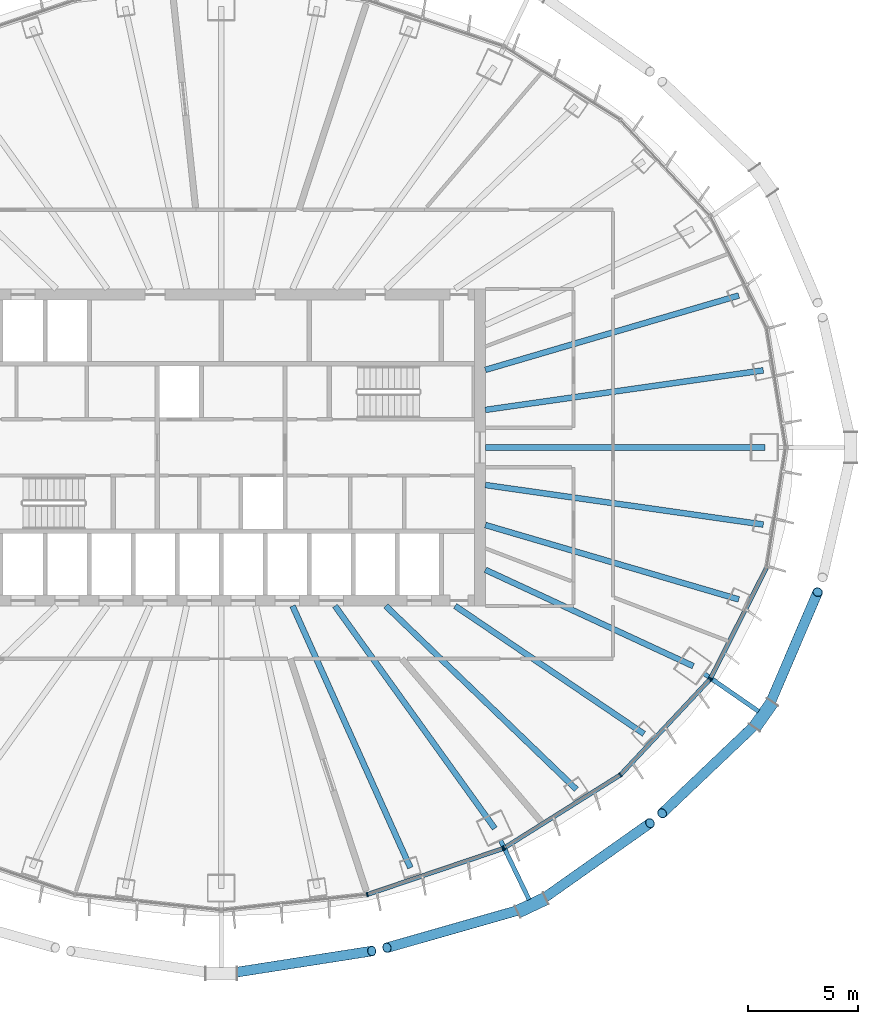
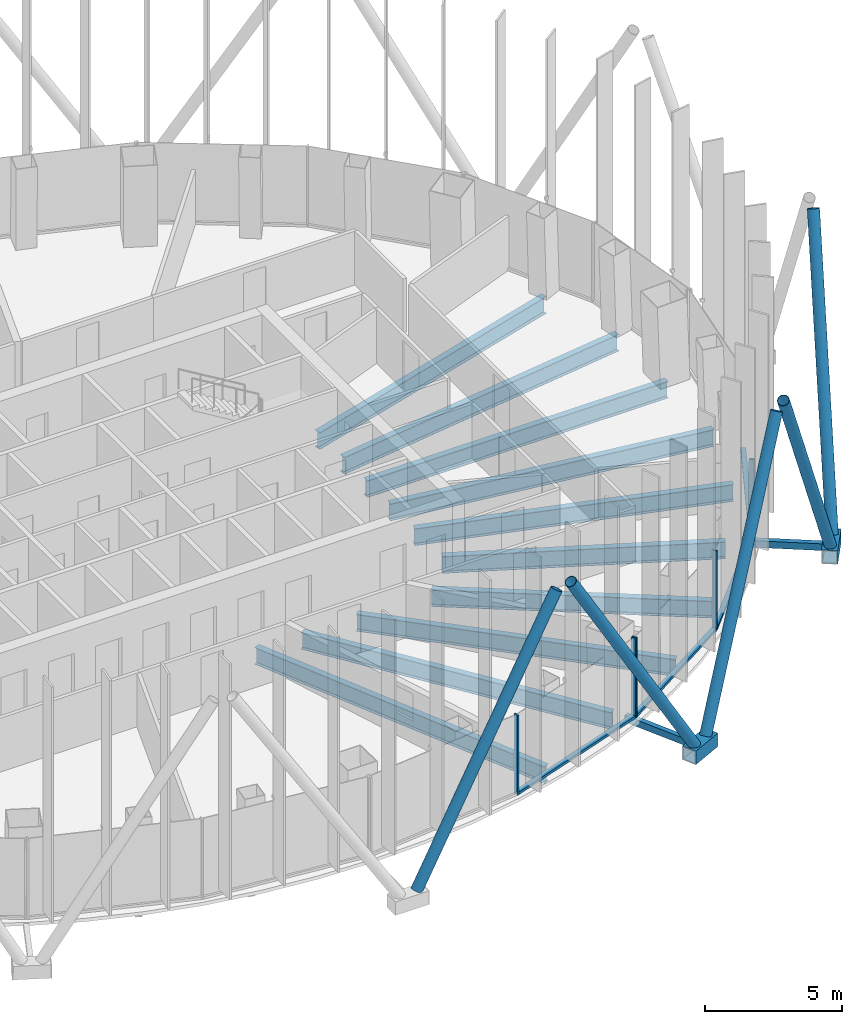
# One storey, part 4 of 20: 19 members, 10 beams, 3 elements without a shape of their own.
"""IFC4 building model written with IfcOpenShell, lengths in metres."""

from ifc_helpers import new_model, si_unit, direction, frame, origin, origin_2d, place, context, subcontext, project, spatial, rectangle, hollow_rectangle, hollow_circle, i_section, extrude, material, layer, layer_set, material_profile, profile_set, type_object, element, aggregate, save


model = new_model("IFC4")

# Units and contexts
model_context = context("Model", 3, precision=1e-05, world=origin(), true_north=direction((0.0, 1.0)))
body_context = subcontext(model_context, "Body", "Model", "MODEL_VIEW")
ifc_project = project(units=[si_unit("LENGTHUNIT", "METRE"), si_unit("AREAUNIT", "SQUARE_METRE"), si_unit("VOLUMEUNIT", "CUBIC_METRE"), si_unit("PLANEANGLEUNIT", "RADIAN"), si_unit("MASSUNIT", "GRAM", prefix="KILO")], contexts=[model_context])

# Site, building, storey
site_placement = place(None, origin())
site = spatial("IfcSite", under=ifc_project, at=site_placement, CompositionType="ELEMENT")
building_placement = place(site_placement, origin())
building = spatial("IfcBuilding", under=site, at=building_placement, Name="Siaravel Broadcast Tower", CompositionType="ELEMENT")
storey_placement = place(building_placement, frame((0.0, 0.0, 108.199951171875)))
storey = spatial("IfcBuildingStorey", under=building, at=storey_placement, Name="L25", CompositionType="ELEMENT", Elevation=108.199951171875)

# Beams
ifc_material_1 = material(Name="Steel S355", Category="steel")
ifc_material_profile_1 = material_profile(ifc_material_1, i_section(OverallWidth=0.26513671875, OverallDepth=0.75390625, WebThickness=0.0126953125, FlangeThickness=0.017578125, FilletRadius=0.0166015625, at=origin_2d()))
ifc_profile_set_1 = profile_set([ifc_material_profile_1], Name="Steel S355")
beam_type = type_object("IfcBeamType", Name="BM-UB 762x267x147", PredefinedType="BEAM", material=ifc_profile_set_1)
beam_1_placement = place(storey_placement, frame((24.697509765625, 0.0, -0.52685546875), z_axis=(-1.0, 0.0, 0.0), x_axis=(0.0, -1.0, 0.0)))
element("IfcBeam", 1, at=beam_1_placement, inside=storey, type_object=beam_type, Name="Radial beam RB01", PredefinedType="BEAM", context=body_context, shape_type="SweptSolid", body=[
    extrude(i_section(OverallWidth=0.26513671875, OverallDepth=0.75390625, WebThickness=0.0126953125, FlangeThickness=0.017578125, FilletRadius=0.0166015625, at=origin_2d()), origin(), (0.0, 0.0, 1.0), 12.697509765625),
])
beam_2_placement = place(storey_placement, frame((24.623291015625, 3.5009765625, -0.52685546875), z_axis=(-0.990044244, -0.140756508, 0.0), x_axis=(0.140756508, -0.990044244, 0.0)))
element("IfcBeam", 2, at=beam_2_placement, inside=storey, type_object=beam_type, Name="Radial beam RB02", PredefinedType="BEAM", context=body_context, shape_type="SweptSolid", body=[
    extrude(i_section(OverallWidth=0.26513671875, OverallDepth=0.75390625, WebThickness=0.0126953125, FlangeThickness=0.017578125, FilletRadius=0.0166015625, at=origin_2d()), origin(), (0.0, 0.0, 1.0), 12.750244140625),
])
beam_3_placement = place(storey_placement, frame((23.510498046875, 6.90234375, -0.52685546875), z_axis=(-0.959507321, -0.281683688, 0.0), x_axis=(0.281683688, -0.959507321, 0.0)))
element("IfcBeam", 3, at=beam_3_placement, inside=storey, type_object=beam_type, Name="Radial beam RB03", PredefinedType="BEAM", context=body_context, shape_type="SweptSolid", body=[
    extrude(i_section(OverallWidth=0.26513671875, OverallDepth=0.75390625, WebThickness=0.0126953125, FlangeThickness=0.017578125, FilletRadius=0.0166015625, at=origin_2d()), origin(), (0.0, 0.0, 1.0), 11.996337890625),
])
beam_4_placement = place(storey_placement, frame((8.5947265625, -19.090087890625, -0.52685546875), z_axis=(-0.410521929, 0.911850725, 0.0), x_axis=(-0.911850725, -0.410521929, 0.0)))
element("IfcBeam", 4, at=beam_4_placement, inside=storey, type_object=beam_type, Name="Radial beam RB30", PredefinedType="BEAM", context=body_context, shape_type="SweptSolid", body=[
    extrude(i_section(OverallWidth=0.26513671875, OverallDepth=0.75390625, WebThickness=0.0126953125, FlangeThickness=0.017578125, FilletRadius=0.0166015625, at=origin_2d()), origin(), (0.0, 0.0, 1.0), 13.03955078125),
])
beam_5_placement = place(storey_placement, frame((12.428466796875, -17.305419921875, -0.52685546875), z_axis=(-0.583331946, 0.812233858, 0.0), x_axis=(-0.812233858, -0.583331946, 0.0)))
element("IfcBeam", 5, at=beam_5_placement, inside=storey, type_object=beam_type, Name="Radial beam RB31", PredefinedType="BEAM", context=body_context, shape_type="SweptSolid", body=[
    extrude(i_section(OverallWidth=0.26513671875, OverallDepth=0.75390625, WebThickness=0.0126953125, FlangeThickness=0.017578125, FilletRadius=0.0166015625, at=origin_2d()), origin(), (0.0, 0.0, 1.0), 12.441650390625),
])
beam_6_placement = place(storey_placement, frame((16.129150390625, -15.528076171875, -0.52685546875), z_axis=(-0.720398468, 0.693560413, 0.0), x_axis=(-0.693560413, -0.720398468, 0.0)))
element("IfcBeam", 6, at=beam_6_placement, inside=storey, type_object=beam_type, Name="Radial beam RB32", PredefinedType="BEAM", context=body_context, shape_type="SweptSolid", body=[
    extrude(i_section(OverallWidth=0.26513671875, OverallDepth=0.75390625, WebThickness=0.0126953125, FlangeThickness=0.017578125, FilletRadius=0.0166015625, at=origin_2d()), origin(), (0.0, 0.0, 1.0), 12.0078125),
])
beam_7_placement = place(storey_placement, frame((19.203125, -13.01025390625, -0.52685546875), z_axis=(-0.827882681, 0.560901299, 0.0), x_axis=(-0.560901299, -0.827882681, 0.0)))
element("IfcBeam", 7, at=beam_7_placement, inside=storey, type_object=beam_type, Name="Radial beam RB33", PredefinedType="BEAM", context=body_context, shape_type="SweptSolid", body=[
    extrude(i_section(OverallWidth=0.26513671875, OverallDepth=0.75390625, WebThickness=0.0126953125, FlangeThickness=0.017578125, FilletRadius=0.0166015625, at=origin_2d()), origin(), (0.0, 0.0, 1.0), 10.35888671875),
])
beam_8_placement = place(storey_placement, frame((21.442138671875, -9.931884765625, -0.52685546875), z_axis=(-0.907387216, 0.420295658, 0.0), x_axis=(-0.420295658, -0.907387216, 0.0)))
element("IfcBeam", 8, at=beam_8_placement, inside=storey, type_object=beam_type, Name="Radial beam RB34", PredefinedType="BEAM", context=body_context, shape_type="SweptSolid", body=[
    extrude(i_section(OverallWidth=0.26513671875, OverallDepth=0.75390625, WebThickness=0.0126953125, FlangeThickness=0.017578125, FilletRadius=0.0166015625, at=origin_2d()), origin(), (0.0, 0.0, 1.0), 10.40576171875),
])
beam_9_placement = place(storey_placement, frame((23.510498046875, -6.90234375, -0.52685546875), z_axis=(-0.959507321, 0.281683688, 0.0), x_axis=(-0.281683688, -0.959507321, 0.0)))
element("IfcBeam", 9, at=beam_9_placement, inside=storey, type_object=beam_type, Name="Radial beam RB35", PredefinedType="BEAM", context=body_context, shape_type="SweptSolid", body=[
    extrude(i_section(OverallWidth=0.26513671875, OverallDepth=0.75390625, WebThickness=0.0126953125, FlangeThickness=0.017578125, FilletRadius=0.0166015625, at=origin_2d()), origin(), (0.0, 0.0, 1.0), 11.996337890625),
])
beam_10_placement = place(storey_placement, frame((24.623291015625, -3.5009765625, -0.52685546875), z_axis=(-0.990044244, 0.140756508, 0.0), x_axis=(-0.140756508, -0.990044244, 0.0)))
element("IfcBeam", 10, at=beam_10_placement, inside=storey, type_object=beam_type, Name="Radial beam RB36", PredefinedType="BEAM", context=body_context, shape_type="SweptSolid", body=[
    extrude(i_section(OverallWidth=0.26513671875, OverallDepth=0.75390625, WebThickness=0.0126953125, FlangeThickness=0.017578125, FilletRadius=0.0166015625, at=origin_2d()), origin(), (0.0, 0.0, 1.0), 12.750244140625),
])

# Curtain wall, members
ifc_material_2 = material(Name="Aluminium 6063-T6", Category="aluminium")
ifc_layer = layer(ifc_material_2, 0.199951171875)
ifc_layer_set = layer_set([ifc_layer], Name="Aluminium 6063-T6")
curtain_wall_type = type_object("IfcCurtainWallType", Name="Unitised curtain wall, zone 2", PredefinedType="NOTDEFINED", material=ifc_layer_set)
curtain_wall_1_placement = place(storey_placement, origin())
curtain_wall_1 = element("IfcCurtainWall", 11, at=curtain_wall_1_placement, inside=storey, type_object=curtain_wall_type, Name="L25 Unitised curtain wall, zone 2 10", PredefinedType="NOTDEFINED")
ifc_material_profile_2 = material_profile(ifc_material_2, rectangle(XDim=0.199951171875, YDim=0.06494140625, at=origin_2d()))
ifc_profile_set_2 = profile_set([ifc_material_profile_2], Name="Aluminium 6063-T6")
member_type_1 = type_object("IfcMemberType", Name="CW-Z2 mullion", PredefinedType="MULLION", material=ifc_profile_set_2)
member_1_placement = place(storey_placement, frame((6.637939453125, -20.307861328125, 0.0), z_axis=(0.0, 0.0, 1.0), x_axis=(-0.215557996, 0.97649104, 0.0)))
member_1 = element("IfcMember", 12, at=member_1_placement, type_object=member_type_1, Name="CW-Z2 mullion 2", PredefinedType="MULLION", context=body_context, shape_type="SweptSolid", body=[
    extrude(rectangle(XDim=0.199951171875, YDim=0.06494140625, at=origin_2d()), origin(), (0.0, 0.0, 1.0), 3.550048828125),
])
member_2_placement = place(storey_placement, frame((12.793212890625, -18.21923828125, 0.0), z_axis=(0.0, 0.0, 1.0), x_axis=(-0.321300513, 0.946977286, 0.0)))
member_2 = element("IfcMember", 13, at=member_2_placement, type_object=member_type_1, Name="CW-Z2 mullion 3", PredefinedType="MULLION", context=body_context, shape_type="SweptSolid", body=[
    extrude(rectangle(XDim=0.199951171875, YDim=0.06494140625, at=origin_2d()), origin(), (0.0, 0.0, 1.0), 3.550048828125),
])

curtain_wall_2_placement = place(storey_placement, origin())
curtain_wall_2 = element("IfcCurtainWall", 14, at=curtain_wall_2_placement, inside=storey, type_object=curtain_wall_type, Name="L25 Unitised curtain wall, zone 2 11", PredefinedType="NOTDEFINED")
member_3_placement = place(storey_placement, frame((12.8515625, -18.191650390625, 0.0), z_axis=(0.0, 0.0, 1.0), x_axis=(-0.532149019, 0.846650708, 0.0)))
member_3 = element("IfcMember", 15, at=member_3_placement, type_object=member_type_1, Name="CW-Z2 mullion 1", PredefinedType="MULLION", context=body_context, shape_type="SweptSolid", body=[
    extrude(rectangle(XDim=0.199951171875, YDim=0.06494140625, at=origin_2d()), origin(), (0.0, 0.0, 1.0), 3.550048828125),
])
member_4_placement = place(storey_placement, frame((18.137451171875, -14.869384765625, 0.0), z_axis=(0.0, 0.0, 1.0), x_axis=(-0.63621839, 0.771509015, 0.0)))
member_4 = element("IfcMember", 16, at=member_4_placement, type_object=member_type_1, Name="CW-Z2 mullion 2", PredefinedType="MULLION", context=body_context, shape_type="SweptSolid", body=[
    extrude(rectangle(XDim=0.199951171875, YDim=0.06494140625, at=origin_2d()), origin(), (0.0, 0.0, 1.0), 3.550048828125),
])
member_5_placement = place(storey_placement, frame((22.193603515625, -10.539306640625, 0.0), z_axis=(0.0, 0.0, 1.0), x_axis=(-0.729804977, 0.683655392, 0.0)))
member_5 = element("IfcMember", 17, at=member_5_placement, type_object=member_type_1, Name="CW-Z2 mullion 3", PredefinedType="MULLION", context=body_context, shape_type="SweptSolid", body=[
    extrude(rectangle(XDim=0.199951171875, YDim=0.06494140625, at=origin_2d()), origin(), (0.0, 0.0, 1.0), 3.550048828125),
])

# Curtain wall, member
curtain_wall_3_placement = place(storey_placement, origin())
curtain_wall_3 = element("IfcCurtainWall", 18, at=curtain_wall_3_placement, inside=storey, type_object=curtain_wall_type, Name="L25 Unitised curtain wall, zone 2 12", PredefinedType="NOTDEFINED")
member_6_placement = place(storey_placement, frame((22.23046875, -10.486572265625, 0.0), z_axis=(0.0, 0.0, 1.0), x_axis=(-0.892391899, 0.451261231, 0.0)))
member_6 = element("IfcMember", 19, at=member_6_placement, type_object=member_type_1, Name="CW-Z2 mullion 1", PredefinedType="MULLION", context=body_context, shape_type="SweptSolid", body=[
    extrude(rectangle(XDim=0.199951171875, YDim=0.06494140625, at=origin_2d()), origin(), (0.0, 0.0, 1.0), 3.550048828125),
])

# Member
ifc_material_profile_3 = material_profile(ifc_material_2, rectangle(XDim=0.199951171875, YDim=0.110107421875, at=origin_2d()))
ifc_profile_set_3 = profile_set([ifc_material_profile_3], Name="Aluminium 6063-T6")
member_type_2 = type_object("IfcMemberType", Name="CW-Z2 transom", PredefinedType="USERDEFINED", material=ifc_profile_set_3)
member_7_placement = place(storey_placement, frame((6.668701171875, -20.29736328125, 0.054931640625), z_axis=(0.946973753, 0.321310926, 0.0), x_axis=(-0.321310926, 0.946973753, 0.0)))
member_7 = element("IfcMember", 20, at=member_7_placement, type_object=member_type_2, Name="CW-Z2 transom 2", ObjectType="TRANSOM", PredefinedType="USERDEFINED", context=body_context, shape_type="SweptSolid", body=[
    extrude(rectangle(XDim=0.199951171875, YDim=0.110107421875, at=origin_2d()), origin(), (0.0, 0.0, 1.0), 6.43505859375),
])

aggregate(curtain_wall_1, [member_1, member_2, member_7])

member_8_placement = place(storey_placement, frame((12.879150390625, -18.17431640625, 0.054931640625), z_axis=(0.846639093, 0.532167499, 0.0), x_axis=(-0.532167499, 0.846639093, 0.0)))
member_8 = element("IfcMember", 21, at=member_8_placement, type_object=member_type_2, Name="CW-Z2 transom 1", ObjectType="TRANSOM", PredefinedType="USERDEFINED", context=body_context, shape_type="SweptSolid", body=[
    extrude(rectangle(XDim=0.199951171875, YDim=0.110107421875, at=origin_2d()), origin(), (0.0, 0.0, 1.0), 6.17822265625),
])

member_9_placement = place(storey_placement, frame((18.15966796875, -14.845458984375, 0.054931640625), z_axis=(0.683660134, 0.729800536, 0.0), x_axis=(-0.729800536, 0.683660134, 0.0)))
member_9 = element("IfcMember", 22, at=member_9_placement, type_object=member_type_2, Name="CW-Z2 transom 2", ObjectType="TRANSOM", PredefinedType="USERDEFINED", context=body_context, shape_type="SweptSolid", body=[
    extrude(rectangle(XDim=0.199951171875, YDim=0.110107421875, at=origin_2d()), origin(), (0.0, 0.0, 1.0), 5.867919921875),
])

aggregate(curtain_wall_2, [member_3, member_4, member_5, member_8, member_9])

member_10_placement = place(storey_placement, frame((22.2451171875, -10.45751953125, 0.054931640625), z_axis=(0.451247712, 0.892398735, 0.0), x_axis=(-0.892398735, 0.451247712, 0.0)))
member_10 = element("IfcMember", 23, at=member_10_placement, type_object=member_type_2, Name="CW-Z2 transom 1", ObjectType="TRANSOM", PredefinedType="USERDEFINED", context=body_context, shape_type="SweptSolid", body=[
    extrude(rectangle(XDim=0.199951171875, YDim=0.110107421875, at=origin_2d()), origin(), (0.0, 0.0, 1.0), 5.585693359375),
])

aggregate(curtain_wall_3, [member_6, member_10])

# Members
ifc_material_3 = material(Name="Steel S460", Category="steel")
ifc_material_profile_4 = material_profile(ifc_material_3, hollow_circle(Radius=0.228515625, WallThickness=0.02001953125, at=origin_2d()))
ifc_profile_set_4 = profile_set([ifc_material_profile_4], Name="Steel S460")
member_type_3 = type_object("IfcMemberType", Name="Diagrid diagonal CHS 457x20", PredefinedType="BRACE", material=ifc_profile_set_4)
member_11_placement = place(storey_placement, frame((0.351318359375, -23.88818359375, 0.070068359375), z_axis=(0.521854782, 0.081567416, 0.849125634), x_axis=(-0.1544279, 0.988004061, 0.0)))
element("IfcMember", 24, at=member_11_placement, inside=storey, type_object=member_type_3, Name="Diagrid diagonal R11 station 54A", PredefinedType="BRACE", context=body_context, shape_type="SweptSolid", body=[
    extrude(hollow_circle(Radius=0.228515625, WallThickness=0.02001953125, at=origin_2d()), origin(), (0.0, 0.0, 1.0), 12.436279296875),
])
member_12_placement = place(storey_placement, frame((13.788818359375, -20.936767578125, 0.070068359375), z_axis=(-0.504693487, -0.143992913, 0.851205337), x_axis=(0.274359589, -0.961627171, 0.0)))
element("IfcMember", 25, at=member_12_placement, inside=storey, type_object=member_type_3, Name="Diagrid diagonal R11 station 60C", PredefinedType="BRACE", context=body_context, shape_type="SweptSolid", body=[
    extrude(hollow_circle(Radius=0.228515625, WallThickness=0.02001953125, at=origin_2d()), origin(), (0.0, 0.0, 1.0), 12.406005859375),
])
member_13_placement = place(storey_placement, frame((14.423828125, -20.636474609375, 0.070068359375), z_axis=(0.413154291, 0.2917967, 0.862646056), x_axis=(-0.576892164, 0.816820318, 0.0)))
element("IfcMember", 26, at=member_13_placement, inside=storey, type_object=member_type_3, Name="Diagrid diagonal R11 station 60A", PredefinedType="BRACE", context=body_context, shape_type="SweptSolid", body=[
    extrude(hollow_circle(Radius=0.228515625, WallThickness=0.02001953125, at=origin_2d()), origin(), (0.0, 0.0, 1.0), 12.241455078125),
])
member_14_placement = place(storey_placement, frame((24.430419921875, -12.42919921875, 0.070068359375), z_axis=(-0.361544187, -0.3438727, 0.866624121), x_axis=(0.689176745, -0.724593275, 0.0)))
element("IfcMember", 27, at=member_14_placement, inside=storey, type_object=member_type_3, Name="Diagrid diagonal R11 station 66C", PredefinedType="BRACE", context=body_context, shape_type="SweptSolid", body=[
    extrude(hollow_circle(Radius=0.228515625, WallThickness=0.02001953125, at=origin_2d()), origin(), (0.0, 0.0, 1.0), 12.185302734375),
])
member_15_placement = place(storey_placement, frame((24.835205078125, -11.85498046875, 0.070068359375), z_axis=(0.187937879, 0.43953705, 0.878343062), x_axis=(-0.919474293, 0.393150131, 0.0)))
element("IfcMember", 28, at=member_15_placement, inside=storey, type_object=member_type_3, Name="Diagrid diagonal R11 station 66A", PredefinedType="BRACE", context=body_context, shape_type="SweptSolid", body=[
    extrude(hollow_circle(Radius=0.228515625, WallThickness=0.02001953125, at=origin_2d()), origin(), (0.0, 0.0, 1.0), 12.022705078125),
])
ifc_material_profile_5 = material_profile(ifc_material_3, hollow_rectangle(XDim=0.60009765625, YDim=0.60009765625, WallThickness=0.0400390625, at=origin_2d()))
ifc_profile_set_5 = profile_set([ifc_material_profile_5], Name="Steel S460")
member_type_4 = type_object("IfcMemberType", Name="Diagrid node BOX 600x600x40", PredefinedType="USERDEFINED", material=ifc_profile_set_5)
for number, where, z_axis, x_axis, name in (
    (29, (13.4736328125, -21.085693359375, -0.199951171875), (0.904014668, 0.427501438, 0.0), (-0.427501438, 0.904014668, 0.0), "Diagrid node R11 station 60"),
    (30, (24.2294921875, -12.714111328125, -0.199951171875), (0.576128367, 0.817359227, 0.0), (-0.817359227, 0.576128367, 0.0), "Diagrid node R11 station 66"),
):
    element("IfcMember", number, at=place(storey_placement, frame(where, z_axis=z_axis, x_axis=x_axis)), inside=storey, type_object=member_type_4, Name=name, ObjectType="DIAGRID NODE", PredefinedType="USERDEFINED", context=body_context, shape_type="SweptSolid", body=[
        extrude(hollow_rectangle(XDim=0.60009765625, YDim=0.60009765625, WallThickness=0.0400390625, at=origin_2d()), origin(), (0.0, 0.0, 1.0), 1.399658203125),
    ])
ifc_material_profile_6 = material_profile(ifc_material_3, hollow_rectangle(XDim=0.199951171875, YDim=0.300048828125, WallThickness=0.012451171875, at=origin_2d()))
ifc_profile_set_6 = profile_set([ifc_material_profile_6], Name="Steel S460")
member_type_5 = type_object("IfcMemberType", Name="Diagrid node arm RHS 300x200x12.5", PredefinedType="STRUT", material=ifc_profile_set_6)
member_16_placement = place(storey_placement, frame((12.686767578125, -17.841552734375, -0.199951171875), z_axis=(0.434175348, -0.900828379, 0.0), x_axis=(0.900828379, 0.434175348, 0.0)))
element("IfcMember", 31, at=member_16_placement, inside=storey, type_object=member_type_5, Name="Node arm R11 station 60", PredefinedType="STRUT", context=body_context, shape_type="SweptSolid", body=[
    extrude(hollow_rectangle(XDim=0.199951171875, YDim=0.300048828125, WallThickness=0.012451171875, at=origin_2d()), origin(), (0.0, 0.0, 1.0), 2.999267578125),
])
member_17_placement = place(storey_placement, frame((21.93115234375, -10.2705078125, -0.199951171875), z_axis=(0.822031913, -0.569441423, 0.0), x_axis=(0.569441423, 0.822031913, 0.0)))
element("IfcMember", 32, at=member_17_placement, inside=storey, type_object=member_type_5, Name="Node arm R11 station 66", PredefinedType="STRUT", context=body_context, shape_type="SweptSolid", body=[
    extrude(hollow_rectangle(XDim=0.199951171875, YDim=0.300048828125, WallThickness=0.012451171875, at=origin_2d()), origin(), (0.0, 0.0, 1.0), 3.0166015625),
])

save(model, "model.ifc")
